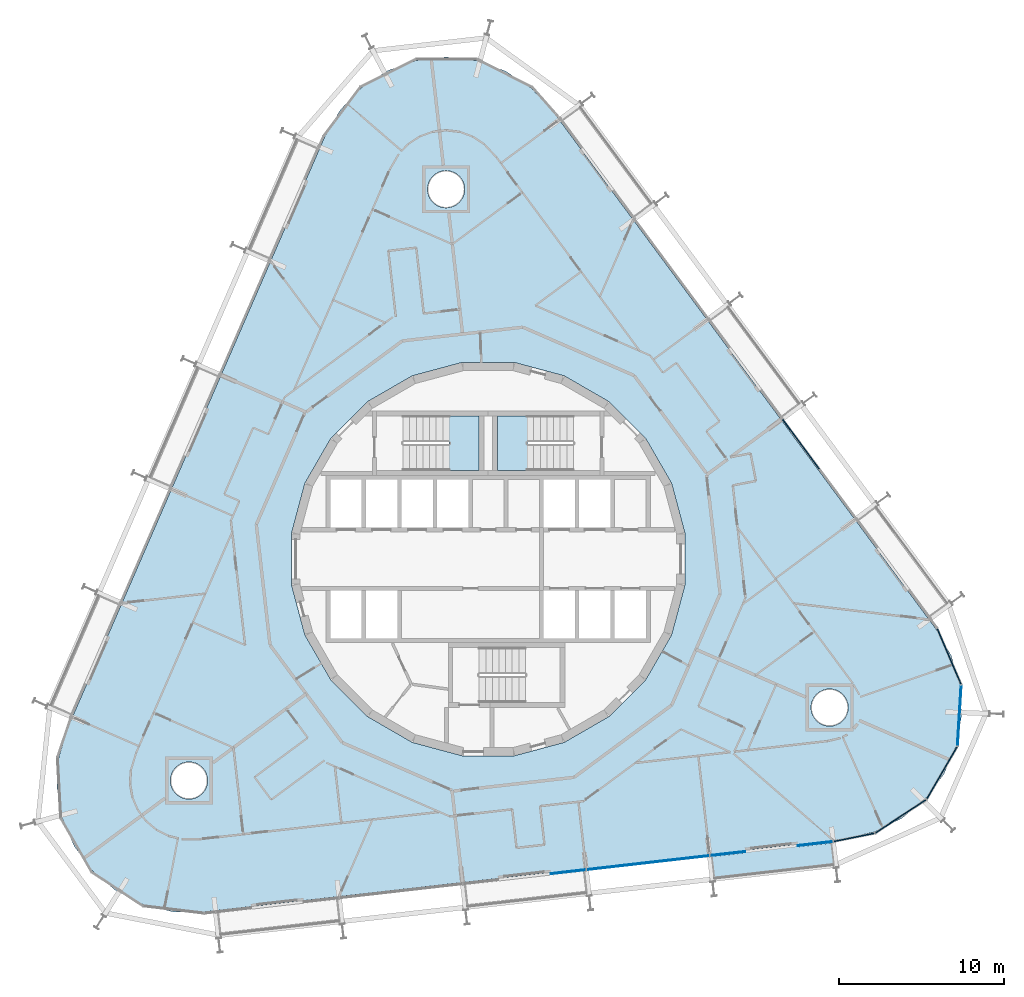
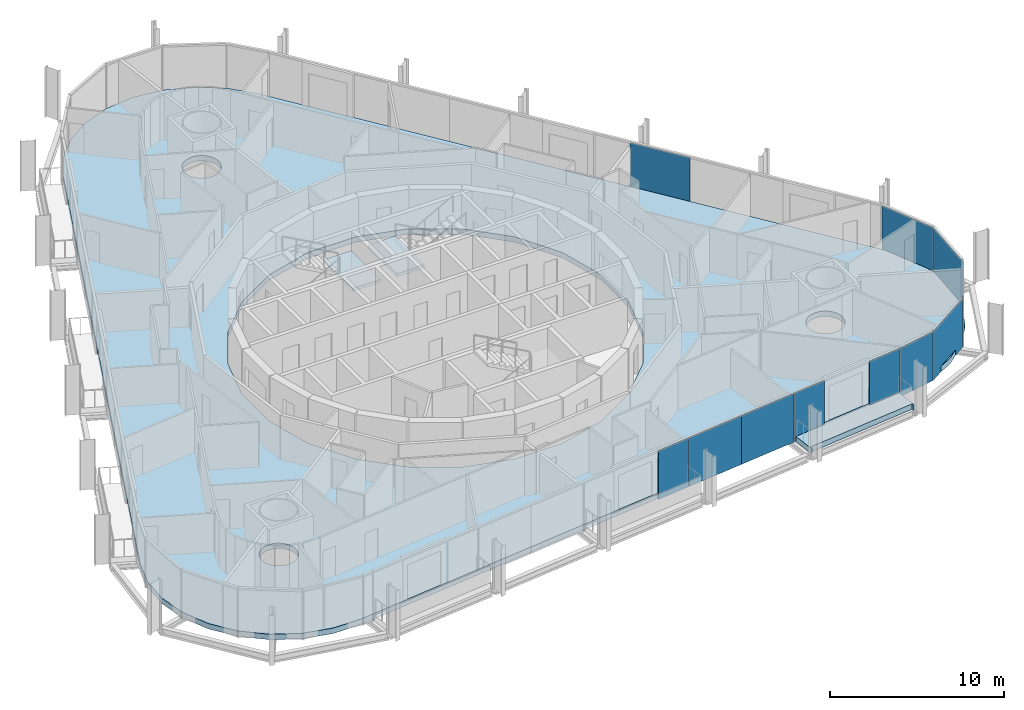
# One storey, part 14 of 24: 11 plates, 4 slabs, 5 elements without a shape of their own.
"""IFC4 building model written with IfcOpenShell, lengths in metres."""

from ifc_helpers import new_model, si_unit, direction, frame, origin, origin_2d, place, context, subcontext, project, spatial, polyline, rectangle, outline, extrude, material, layer, layer_set, type_object, element, aggregate, save


model = new_model("IFC4")

# Units and contexts
model_context = context("Model", 3, precision=1e-05, world=origin(), true_north=direction((0.0, 1.0)))
body_context = subcontext(model_context, "Body", "Model", "MODEL_VIEW")
ifc_project = project(units=[si_unit("LENGTHUNIT", "METRE"), si_unit("AREAUNIT", "SQUARE_METRE"), si_unit("VOLUMEUNIT", "CUBIC_METRE"), si_unit("PLANEANGLEUNIT", "RADIAN"), si_unit("MASSUNIT", "GRAM", prefix="KILO")], contexts=[model_context])

# Site, building, storey
site_placement = place(None, origin())
site = spatial("IfcSite", under=ifc_project, at=site_placement, CompositionType="ELEMENT")
building_placement = place(site_placement, origin())
building = spatial("IfcBuilding", under=site, at=building_placement, Name="Spindle Arch Residences", CompositionType="ELEMENT")
storey_placement = place(building_placement, frame((0.0, 0.0, 87.199951171875)))
storey = spatial("IfcBuildingStorey", under=building, at=storey_placement, Name="L20", CompositionType="ELEMENT", Elevation=87.199951171875)

# Slab
ifc_material_1 = material(Name="Concrete C40/50", Category="concrete")
ifc_layer_1 = layer(ifc_material_1, 0.3798828125)
ifc_layer_set_1 = layer_set([ifc_layer_1], Name="Balcony slab 380")
slab_type_1 = type_object("IfcSlabType", Name="Balcony slab 380", PredefinedType="FLOOR", material=ifc_layer_set_1)
slab_1_placement = place(storey_placement, frame((0.0, 0.0, -0.3798828125)))
element("IfcSlab", 1, at=slab_1_placement, inside=storey, type_object=slab_type_1, Name="Balcony L20 bay 2", PredefinedType="FLOOR", context=body_context, shape_type="SweptSolid", body=[
    extrude(outline(polyline([(13.64697265625, -19.48779296875), (13.7216796875, -19.4794921875), (13.70458984375, -19.330322265625), (20.876953125, -18.51318359375), (20.89404296875, -18.662109375), (20.968505859375, -18.65380859375), (20.7998046875, -17.17333984375), (18.728759765625, -17.4091796875), (18.710693359375, -17.250244140625), (15.53125, -17.612548828125), (15.54931640625, -17.771484375), (13.478271484375, -18.007568359375), (13.64697265625, -19.48779296875)])), origin(), (0.0, 0.0, 1.0), 0.3798828125),
])

# Stair, slab
ifc_material_2 = material(Name="Concrete C50/60", Category="concrete")
stair_type = type_object("IfcStairType", Name="Exit stair 16 risers", PredefinedType="HALF_TURN_STAIR", material=ifc_material_2)
stair_1_placement = place(storey_placement, origin())
stair_1 = element("IfcStair", 2, at=stair_1_placement, inside=storey, type_object=stair_type, Name="L20 Exit stair ST1", PredefinedType="HALF_TURN_STAIR")
ifc_material_3 = material(Name="Concrete C50/60", Category="concrete")
ifc_layer_2 = layer(ifc_material_3, 0.219970703125)
ifc_layer_set_2 = layer_set([ifc_layer_2], Name="Exit stair landing 220")
slab_type_2 = type_object("IfcSlabType", Name="Exit stair landing 220", PredefinedType="LANDING", material=ifc_layer_set_2)
slab_2_placement = place(storey_placement, frame((0.0, 0.0, 1.530029296875)))
slab_2 = element("IfcSlab", 3, at=slab_2_placement, type_object=slab_type_2, Name="ST1 landing 1", PredefinedType="LANDING", context=body_context, shape_type="SweptSolid", body=[
    extrude(outline(polyline([(2.3701171875, 8.669921875), (0.550048828125, 8.669921875), (0.550048828125, 5.35009765625), (2.3701171875, 5.35009765625), (2.3701171875, 8.669921875)])), origin(), (0.0, 0.0, 1.0), 0.219970703125),
])
aggregate(stair_1, [slab_2])

stair_2_placement = place(storey_placement, origin())
stair_2 = element("IfcStair", 4, at=stair_2_placement, inside=storey, type_object=stair_type, Name="L20 Exit stair ST2", PredefinedType="HALF_TURN_STAIR")
slab_3_placement = place(storey_placement, frame((0.0, 0.0, 1.530029296875)))
slab_3 = element("IfcSlab", 5, at=slab_3_placement, type_object=slab_type_2, Name="ST2 landing 1", PredefinedType="LANDING", context=body_context, shape_type="SweptSolid", body=[
    extrude(outline(polyline([(-2.3701171875, 5.35009765625), (-0.550048828125, 5.35009765625), (-0.550048828125, 8.669921875), (-2.3701171875, 8.669921875), (-2.3701171875, 5.35009765625)])), origin(), (0.0, 0.0, 1.0), 0.219970703125),
])
aggregate(stair_2, [slab_3])

# Slab
ifc_material_4 = material(Name="Concrete C40/50", Category="concrete")
ifc_layer_3 = layer(ifc_material_4, 0.3798828125)
ifc_layer_set_3 = layer_set([ifc_layer_3], Name="Floor slab 380")
slab_type_3 = type_object("IfcSlabType", Name="Floor slab 380", PredefinedType="FLOOR", material=ifc_layer_set_3)
slab_4_placement = place(storey_placement, frame((0.0, 0.0, -0.3798828125)))
element("IfcSlab", 6, at=slab_4_placement, inside=storey, type_object=slab_type_3, Name="Floor slab L20", PredefinedType="FLOOR", context=body_context, shape_type="SweptSolid", body=[
    extrude(outline(polyline([(-19.05078125, -21.335693359375), (-20.85693359375, -20.902099609375), (-22.514404296875, -20.0634765625), (-23.933837890625, -18.865478515625), (-25.038818359375, -17.372314453125), (-25.769287109375, -15.66455078125), (-26.086669921875, -13.83447265625), (-25.973388671875, -11.98046875), (-25.435302734375, -10.202392578125), (-9.88525390625, 25.560302734375), (-8.951904296875, 27.166259765625), (-7.673095703125, 28.513671875), (-6.118408203125, 29.52978515625), (-4.37109375, 30.159912109375), (-2.525390625, 30.370361328125), (-0.68115234375, 30.1494140625), (1.0625, 29.5087890625), (2.611328125, 28.483642578125), (3.882080078125, 27.12890625), (27.07861328125, -4.21923828125), (28.002685546875, -5.83056640625), (28.530029296875, -7.611572265625), (28.6328125, -9.46630859375), (28.304931640625, -11.294677734375), (27.564208984375, -12.998046875), (26.45068359375, -14.484619140625), (25.0244140625, -15.674560546875), (23.36181640625, -16.50341796875), (21.55322265625, -16.926513671875), (2.179931640625, -19.1337890625), (-17.193115234375, -21.341064453125), (-19.05078125, -21.335693359375)]), holes=[polyline([(7.30517578125, -9.520263671875), (9.520263671875, -7.30517578125), (11.086669921875, -4.59228515625), (11.897216796875, -1.56640625), (11.897216796875, 1.56640625), (11.086669921875, 4.59228515625), (9.520263671875, 7.30517578125), (7.30517578125, 9.520263671875), (4.59228515625, 11.086669921875), (1.56640625, 11.897216796875), (-1.56640625, 11.897216796875), (-4.59228515625, 11.086669921875), (-7.30517578125, 9.520263671875), (-9.520263671875, 7.30517578125), (-11.086669921875, 4.59228515625), (-11.897216796875, 1.56640625), (-11.897216796875, -1.56640625), (-11.086669921875, -4.59228515625), (-9.520263671875, -7.30517578125), (-7.30517578125, -9.520263671875), (-4.59228515625, -11.086669921875), (-1.56640625, -11.897216796875), (1.56640625, -11.897216796875), (4.59228515625, -11.086669921875), (7.30517578125, -9.520263671875)]), polyline([(-17.303466796875, -14.18798828125), (-17.16357421875, -14.017578125), (-17.0595703125, -13.822998046875), (-16.99560546875, -13.612060546875), (-16.973876953125, -13.392578125), (-16.99560546875, -13.173095703125), (-17.0595703125, -12.9619140625), (-17.16357421875, -12.767578125), (-17.303466796875, -12.596923828125), (-17.473876953125, -12.45703125), (-17.66845703125, -12.35302734375), (-17.87939453125, -12.2890625), (-18.098876953125, -12.267578125), (-18.318359375, -12.2890625), (-18.529296875, -12.35302734375), (-18.723876953125, -12.45703125), (-18.894287109375, -12.596923828125), (-19.0341796875, -12.767578125), (-19.13818359375, -12.9619140625), (-19.202392578125, -13.173095703125), (-19.223876953125, -13.392578125), (-19.202392578125, -13.612060546875), (-19.13818359375, -13.822998046875), (-19.0341796875, -14.017578125), (-18.894287109375, -14.18798828125), (-18.723876953125, -14.327880859375), (-18.529296875, -14.431884765625), (-18.318359375, -14.495849609375), (-18.098876953125, -14.517578125), (-17.87939453125, -14.495849609375), (-17.66845703125, -14.431884765625), (-17.473876953125, -14.327880859375), (-17.303466796875, -14.18798828125)]), polyline([(-1.75341796875, 21.57470703125), (-1.61328125, 21.745361328125), (-1.509521484375, 21.939697265625), (-1.4453125, 22.15087890625), (-1.423828125, 22.370361328125), (-1.4453125, 22.58984375), (-1.509521484375, 22.80078125), (-1.61328125, 22.995361328125), (-1.75341796875, 23.165771484375), (-1.923828125, 23.3056640625), (-2.118408203125, 23.40966796875), (-2.329345703125, 23.4736328125), (-2.548828125, 23.495361328125), (-2.768310546875, 23.4736328125), (-2.979248046875, 23.40966796875), (-3.173828125, 23.3056640625), (-3.34423828125, 23.165771484375), (-3.484130859375, 22.995361328125), (-3.588134765625, 22.80078125), (-3.652099609375, 22.58984375), (-3.673828125, 22.370361328125), (-3.652099609375, 22.15087890625), (-3.588134765625, 21.939697265625), (-3.484130859375, 21.745361328125), (-3.34423828125, 21.57470703125), (-3.173828125, 21.434814453125), (-2.979248046875, 21.330810546875), (-2.768310546875, 21.266845703125), (-2.548828125, 21.245361328125), (-2.329345703125, 21.266845703125), (-2.118408203125, 21.330810546875), (-1.923828125, 21.434814453125), (-1.75341796875, 21.57470703125)]), polyline([(21.443115234375, -9.773193359375), (21.5830078125, -9.602783203125), (21.68701171875, -9.408203125), (21.7509765625, -9.197265625), (21.772705078125, -8.977783203125), (21.7509765625, -8.75830078125), (21.68701171875, -8.54736328125), (21.5830078125, -8.352783203125), (21.443115234375, -8.182373046875), (21.272705078125, -8.04248046875), (21.078125, -7.9384765625), (20.8671875, -7.87451171875), (20.647705078125, -7.852783203125), (20.427978515625, -7.87451171875), (20.217041015625, -7.9384765625), (20.022705078125, -8.04248046875), (19.85205078125, -8.182373046875), (19.712158203125, -8.352783203125), (19.608154296875, -8.54736328125), (19.544189453125, -8.75830078125), (19.522705078125, -8.977783203125), (19.544189453125, -9.197265625), (19.608154296875, -9.408203125), (19.712158203125, -9.602783203125), (19.85205078125, -9.773193359375), (20.022705078125, -9.9130859375), (20.217041015625, -10.01708984375), (20.427978515625, -10.081298828125), (20.647705078125, -10.102783203125), (20.8671875, -10.081298828125), (21.078125, -10.01708984375), (21.272705078125, -9.9130859375), (21.443115234375, -9.773193359375)])]), origin(), (0.0, 0.0, 1.0), 0.3798828125),
])

# Curtain wall, plates
ifc_material_5 = material(Name="Aluminium bronze unitised frame with tinted glass", Category="aluminium")
ifc_layer_4 = layer(ifc_material_5, 0.159912109375)
ifc_layer_set_4 = layer_set([ifc_layer_4], Name="CW-D corner wall on the fillet arcs")
curtain_wall_type_1 = type_object("IfcCurtainWallType", Name="CW-D corner wall on the fillet arcs", PredefinedType="NOTDEFINED", material=ifc_layer_set_4)
curtain_wall_1_placement = place(storey_placement, origin())
curtain_wall_1 = element("IfcCurtainWall", 7, at=curtain_wall_1_placement, inside=storey, type_object=curtain_wall_type_1, Name="CW-D L20 run 1", PredefinedType="NOTDEFINED")
ifc_material_6 = material(Name="Tinted double glazing over aluminium faced non-combustible spandrel zone (K0)", Category="aluminium")
ifc_layer_5 = layer(ifc_material_6, 0.06005859375)
ifc_layer_set_5 = layer_set([ifc_layer_5], Name="Unitised glass panel with E 60 spandrel zone")
plate_type = type_object("IfcPlateType", Name="Unitised glass panel with E 60 spandrel zone", PredefinedType="CURTAIN_PANEL", material=ifc_layer_set_5)
plate_1_placement = place(storey_placement, frame((22.127197265625, -16.83203125, -0.3798828125), z_axis=(0.0, 0.0, 1.0), x_axis=(0.980430998553, 0.196863041416, 0.0)))
plate_1 = element("IfcPlate", 8, at=plate_1_placement, type_object=plate_type, Name="CW-D unit 00", PredefinedType="CURTAIN_PANEL", context=body_context, shape_type="SweptSolid", body=[
    extrude(rectangle(XDim=2.51416015625, YDim=0.06005859375, at=origin_2d()), origin(), (0.0, 0.0, 1.0), 3.3798828125),
])
plate_2_placement = place(storey_placement, frame((24.948974609375, -15.55908203125, -0.3798828125), z_axis=(0.0, 0.0, 1.0), x_axis=(0.83708272954, 0.547076323657, 0.0)))
plate_2 = element("IfcPlate", 9, at=plate_2_placement, type_object=plate_type, Name="CW-D unit 01", PredefinedType="CURTAIN_PANEL", context=body_context, shape_type="SweptSolid", body=[
    extrude(rectangle(XDim=3.666748046875, YDim=0.06005859375, at=origin_2d()), origin(), (0.0, 0.0, 1.0), 3.3798828125),
])
plate_3_placement = place(storey_placement, frame((27.445068359375, -12.9287109375, -0.3798828125), z_axis=(0.0, 0.0, 1.0), x_axis=(0.502517045345, 0.864567301682, 0.0)))
plate_3 = element("IfcPlate", 10, at=plate_3_placement, type_object=plate_type, Name="CW-D unit 02", PredefinedType="CURTAIN_PANEL", context=body_context, shape_type="SweptSolid", body=[
    extrude(rectangle(XDim=3.666748046875, YDim=0.06005859375, at=origin_2d()), origin(), (0.0, 0.0, 1.0), 3.3798828125),
])
plate_4_placement = place(storey_placement, frame((28.4951171875, -9.457763671875, -0.3798828125), z_axis=(0.0, 0.0, 1.0), x_axis=(0.06104853612, 0.998134798631, 0.0)))
plate_4 = element("IfcPlate", 11, at=plate_4_placement, type_object=plate_type, Name="CW-D unit 03", PredefinedType="CURTAIN_PANEL", context=body_context, shape_type="SweptSolid", body=[
    extrude(rectangle(XDim=3.666748046875, YDim=0.06005859375, at=origin_2d()), origin(), (0.0, 0.0, 1.0), 3.3798828125),
])
plate_5_placement = place(storey_placement, frame((27.8759765625, -5.884765625, -0.3798828125), z_axis=(0.0, 0.0, 1.0), x_axis=(-0.393407112882, 0.919364369298, 0.0)))
plate_5 = element("IfcPlate", 12, at=plate_5_placement, type_object=plate_type, Name="CW-D unit 04", PredefinedType="CURTAIN_PANEL", context=body_context, shape_type="SweptSolid", body=[
    extrude(rectangle(XDim=3.666748046875, YDim=0.06005859375, at=origin_2d()), origin(), (0.0, 0.0, 1.0), 3.3798828125),
])
aggregate(curtain_wall_1, [plate_1, plate_2, plate_3, plate_4, plate_5])

# Curtain wall, plate
ifc_material_7 = material(Name="Aluminium bronze unitised frame with tinted glass", Category="aluminium")
ifc_layer_6 = layer(ifc_material_7, 0.159912109375)
ifc_layer_set_6 = layer_set([ifc_layer_6], Name="CW-C typical residential unitised wall")
curtain_wall_type_2 = type_object("IfcCurtainWallType", Name="CW-C typical residential unitised wall", PredefinedType="NOTDEFINED", material=ifc_layer_set_6)
curtain_wall_2_placement = place(storey_placement, origin())
curtain_wall_2 = element("IfcCurtainWall", 13, at=curtain_wall_2_placement, inside=storey, type_object=curtain_wall_type_2, Name="CW-C L20 run 2", PredefinedType="NOTDEFINED")
plate_6_placement = place(storey_placement, frame((18.90771484375, 6.957275390625, -0.3798828125), z_axis=(0.0, 0.0, 1.0), x_axis=(-0.594822786751, 0.803856860617, 0.0)))
plate_6 = element("IfcPlate", 14, at=plate_6_placement, type_object=plate_type, Name="CW-C unit 06B", PredefinedType="CURTAIN_PANEL", context=body_context, shape_type="SweptSolid", body=[
    extrude(rectangle(XDim=3.7294921875, YDim=0.06005859375, at=origin_2d()), origin(), (0.0, 0.0, 1.0), 3.3798828125),
])
aggregate(curtain_wall_2, [plate_6])

# Curtain wall, plates
curtain_wall_3_placement = place(storey_placement, origin())
curtain_wall_3 = element("IfcCurtainWall", 15, at=curtain_wall_3_placement, inside=storey, type_object=curtain_wall_type_2, Name="CW-C L20 run 6", PredefinedType="NOTDEFINED")
plate_7_placement = place(storey_placement, frame((4.836669921875, -18.91162109375, -0.3798828125), z_axis=(0.0, 0.0, 1.0), x_axis=(0.993571855677, 0.113203213768, 0.0)))
plate_7 = element("IfcPlate", 16, at=plate_7_placement, type_object=plate_type, Name="CW-C unit 23R", PredefinedType="CURTAIN_PANEL", context=body_context, shape_type="SweptSolid", body=[
    extrude(rectangle(XDim=2.12939453125, YDim=0.06005859375, at=origin_2d()), origin(), (0.0, 0.0, 1.0), 3.3798828125),
])
plate_8_placement = place(storey_placement, frame((7.806884765625, -18.5732421875, -0.3798828125), z_axis=(0.0, 0.0, 1.0), x_axis=(0.993571855677, 0.113203213768, 0.0)))
plate_8 = element("IfcPlate", 17, at=plate_8_placement, type_object=plate_type, Name="CW-C unit 00A", PredefinedType="CURTAIN_PANEL", context=body_context, shape_type="SweptSolid", body=[
    extrude(rectangle(XDim=3.7294921875, YDim=0.06005859375, at=origin_2d()), origin(), (0.0, 0.0, 1.0), 3.3798828125),
])
plate_9_placement = place(storey_placement, frame((11.51220703125, -18.15087890625, -0.3798828125), z_axis=(0.0, 0.0, 1.0), x_axis=(0.993571855677, 0.113203213768, 0.0)))
plate_9 = element("IfcPlate", 18, at=plate_9_placement, type_object=plate_type, Name="CW-C unit 00B", PredefinedType="CURTAIN_PANEL", context=body_context, shape_type="SweptSolid", body=[
    extrude(rectangle(XDim=3.7294921875, YDim=0.06005859375, at=origin_2d()), origin(), (0.0, 0.0, 1.0), 3.3798828125),
])
plate_10_placement = place(storey_placement, frame((14.482421875, -17.8125, -0.3798828125), z_axis=(0.0, 0.0, 1.0), x_axis=(0.993571855677, 0.113203213768, 0.0)))
plate_10 = element("IfcPlate", 19, at=plate_10_placement, type_object=plate_type, Name="CW-C unit 01L", PredefinedType="CURTAIN_PANEL", context=body_context, shape_type="SweptSolid", body=[
    extrude(rectangle(XDim=2.12939453125, YDim=0.06005859375, at=origin_2d()), origin(), (0.0, 0.0, 1.0), 3.3798828125),
])
plate_11_placement = place(storey_placement, frame((19.777587890625, -17.209228515625, -0.3798828125), z_axis=(0.0, 0.0, 1.0), x_axis=(0.993571855677, 0.113203213768, 0.0)))
plate_11 = element("IfcPlate", 20, at=plate_11_placement, type_object=plate_type, Name="CW-C unit 01R", PredefinedType="CURTAIN_PANEL", context=body_context, shape_type="SweptSolid", body=[
    extrude(rectangle(XDim=2.12939453125, YDim=0.06005859375, at=origin_2d()), origin(), (0.0, 0.0, 1.0), 3.3798828125),
])
aggregate(curtain_wall_3, [plate_7, plate_8, plate_9, plate_10, plate_11])

save(model, "model.ifc")
